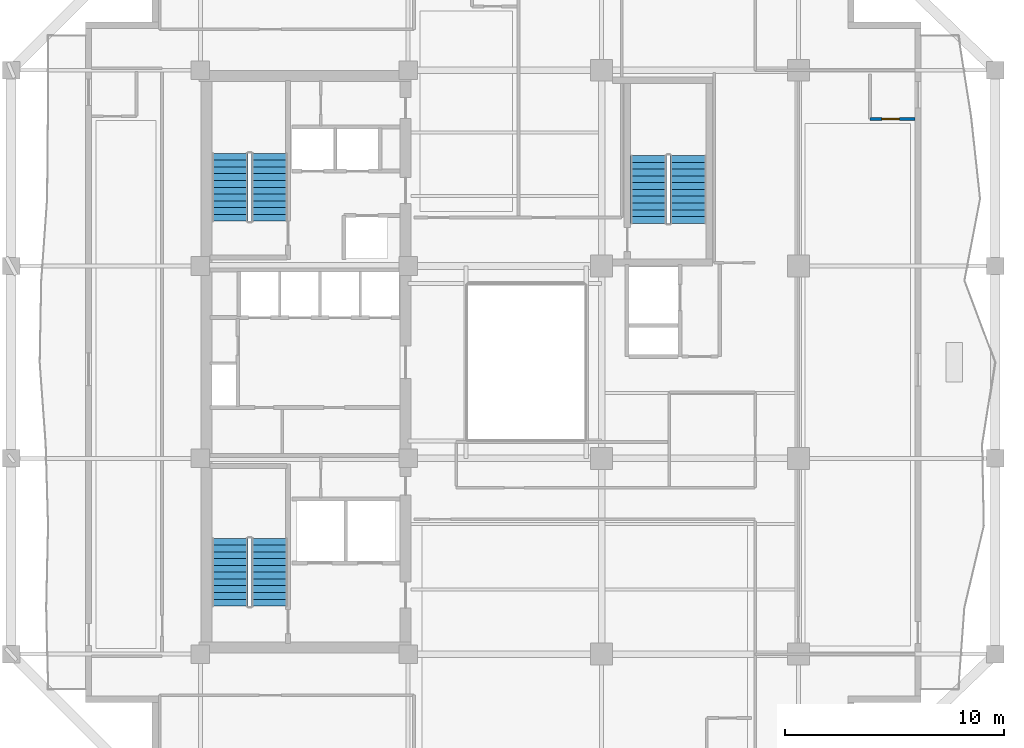
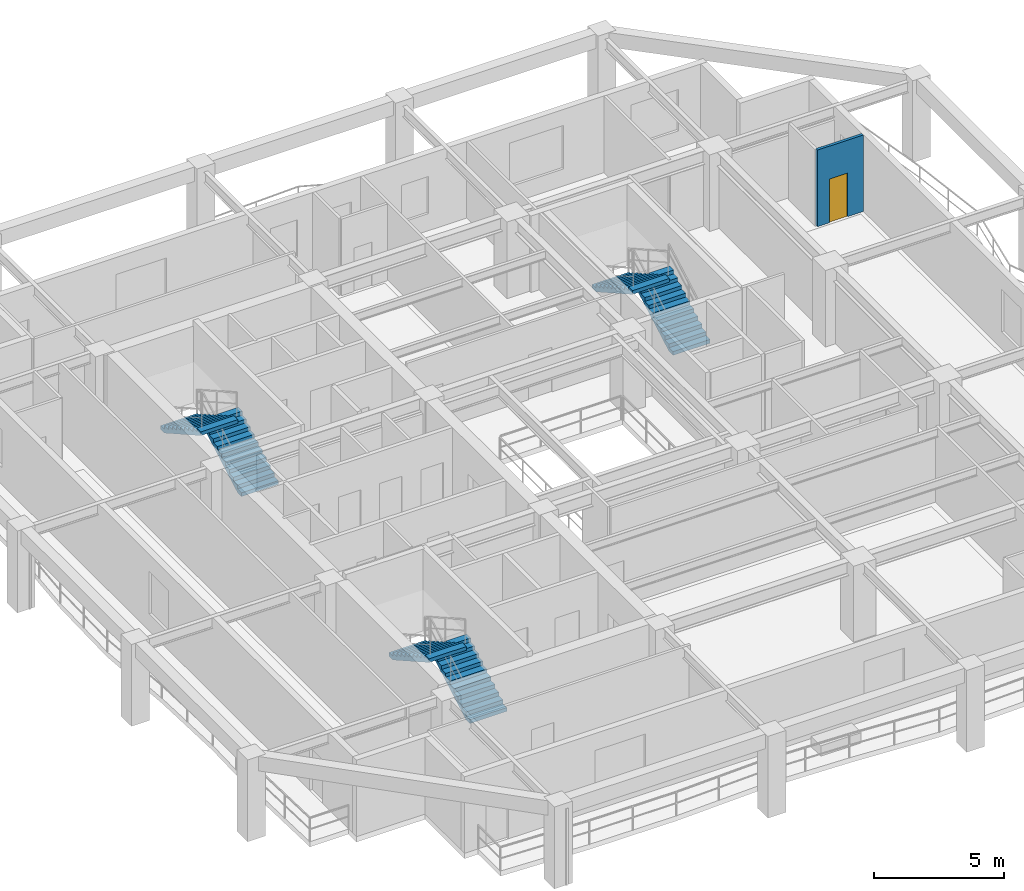
# One storey, part 6 of 10: 6 stair flights, 1 door, 1 wall, 1 opening, 3 elements without a shape of their own.
"""IFC4 building model written with IfcOpenShell, lengths in metres."""

from ifc_helpers import new_model, si_unit, direction, frame, frame_2d, origin, place, context, subcontext, project, spatial, polyline, rectangle, outline, extrude, material, layer, layer_set, type_object, element, fill, aggregate, save


model = new_model("IFC4")

# Units and contexts
model_context = context("Model", 3, precision=1e-05, world=origin(), true_north=direction((0.0, 1.0)))
body_context = subcontext(model_context, "Body", "Model", "MODEL_VIEW")
ifc_project = project(units=[si_unit("LENGTHUNIT", "METRE"), si_unit("AREAUNIT", "SQUARE_METRE"), si_unit("VOLUMEUNIT", "CUBIC_METRE"), si_unit("PLANEANGLEUNIT", "RADIAN"), si_unit("MASSUNIT", "GRAM", prefix="KILO")], contexts=[model_context])

# Site, building, storey
site_placement = place(None, origin())
site = spatial("IfcSite", under=ifc_project, at=site_placement, CompositionType="ELEMENT")
building_placement = place(site_placement, origin())
building = spatial("IfcBuilding", under=site, at=building_placement, Name="Kundavana Baori Tower", CompositionType="ELEMENT")
storey_placement = place(building_placement, frame((0.0, 0.0, 111.699951171875)))
storey = spatial("IfcBuildingStorey", under=building, at=storey_placement, Name="L26", CompositionType="ELEMENT", Elevation=111.699951171875)

# Wall, opening, door
ifc_material_1 = material(Name="Autoclaved Aerated Concrete Blockwork Masonry", Category="masonry")
ifc_layer = layer(ifc_material_1, 0.125, Name="WL-WET-120")
ifc_layer_set = layer_set([ifc_layer], Name="Autoclaved Aerated Concrete Blockwork Masonry")
wall_type = type_object("IfcWallType", Name="WL-WET-120", PredefinedType="PLUMBINGWALL", material=ifc_layer_set)
wall_placement = place(storey_placement, frame((46.070068359375, 39.719970703125, 0.0), z_axis=(0.0, 0.0, 1.0), x_axis=(1.0, 0.0, 0.0)))
wall = element("IfcWall", 1, at=wall_placement, inside=storey, type_object=wall_type, Name="WL-L26-HK-E1-BS", PredefinedType="PLUMBINGWALL", context=body_context, shape_type="SweptSolid", body=[
    extrude(rectangle(XDim=2.050048828125, YDim=0.125, at=frame_2d((1.02490234375, 0.0))), origin(), (0.0, 0.0, 1.0), 3.60009765625),
])
opening_placement = place(wall_placement, frame((0.550048828125, 0.0, 0.0)))
opening = element("IfcOpeningElement", 2, at=opening_placement, cuts=wall, Name="Opening WD-080", PredefinedType="OPENING", context=body_context, shape_type="SweptSolid", body=[
    extrude(rectangle(XDim=0.800048828125, YDim=2.050048828125, at=frame_2d((0.39990234375, 1.02490234375))), frame((0.0, 0.072509765625, 0.0), z_axis=(0.0, -1.0, 0.0), x_axis=(1.0, 0.0, 0.0)), (0.0, 0.0, 1.0), 0.14501953125),
])
ifc_material_2 = material(Name="Engineered Teak Solid-Core Timber Veneer", Category="wood")
door_type = type_object("IfcDoorType", Name="DR-WET-800", OperationType="NOTDEFINED", PredefinedType="DOOR", material=ifc_material_2)
door_placement = place(opening_placement, frame((0.800048828125, 0.0, 0.0), z_axis=(0.0, 0.0, 1.0), x_axis=(-1.0, 0.0, 0.0)))
door = element("IfcDoor", 3, at=door_placement, inside=storey, type_object=door_type, Name="DR-L26-HK-E1-ENS", OperationType="SINGLE_SWING_LEFT", OverallHeight=2.050048828125, OverallWidth=0.800048828125, PredefinedType="DOOR", context=body_context, shape_type="SweptSolid", body=[
    extrude(rectangle(XDim=0.800048828125, YDim=2.050048828125, at=frame_2d((0.39990234375, 1.02490234375))), frame((0.0, 0.02490234375, 0.0), z_axis=(0.0, -1.0, 0.0), x_axis=(1.0, 0.0, 0.0)), (0.0, 0.0, 1.0), 0.050048828125),
])
fill(opening, door)

# Stair, stair flights
ifc_material_3 = material(Name="Concrete C40/50", Category="concrete")
stair_type = type_object("IfcStairType", Name="STR-DOG-1650", PredefinedType="HALF_TURN_STAIR", material=ifc_material_3)
stair_1_placement = place(storey_placement, origin())
stair_1 = element("IfcStair", 4, at=stair_1_placement, inside=storey, type_object=stair_type, Name="L26 Protected Exit Stair ST1", PredefinedType="HALF_TURN_STAIR")
ifc_material_4 = material(Name="Concrete C40/50", Category="concrete")
stair_flight_type = type_object("IfcStairFlightType", Name="SFL-RC-1650", PredefinedType="STRAIGHT", material=ifc_material_4)
stair_flight_1_placement = place(storey_placement, frame((18.614990234375, 17.449951171875, 0.0), z_axis=(0.0, 0.0, 1.0), x_axis=(0.0, 1.0, 0.0)))
stair_flight_1 = element("IfcStairFlight", 5, at=stair_flight_1_placement, type_object=stair_flight_type, Name="ST1 flight 1", NumberOfRisers=11, NumberOfTreads=10, PredefinedType="STRAIGHT", RiserHeight=0.175, TreadLength=0.31, context=body_context, shape_type="SweptSolid", body=[
    extrude(outline(polyline([(0.0, 0.0), (0.0, 0.175048828125), (0.31005859375, 0.175048828125), (0.31005859375, 0.35009765625), (0.6201171875, 0.35009765625), (0.6201171875, 0.52490234375), (0.929931640625, 0.52490234375), (0.929931640625, 0.699951171875), (1.239990234375, 0.699951171875), (1.239990234375, 0.875), (1.550048828125, 0.875), (1.550048828125, 1.050048828125), (1.860107421875, 1.050048828125), (1.860107421875, 1.22509765625), (2.169921875, 1.22509765625), (2.169921875, 1.39990234375), (2.47998046875, 1.39990234375), (2.47998046875, 1.574951171875), (2.7900390625, 1.574951171875), (2.7900390625, 1.75), (3.10009765625, 1.75), (3.10009765625, 1.925048828125), (3.10009765625, 1.577880859375), (0.304931640625, 0.0), (0.0, 0.0)])), frame((0.0, 0.824951171875, 0.0), z_axis=(0.0, -1.0, 0.0), x_axis=(1.0, 0.0, 0.0)), (0.0, 0.0, 1.0), 1.64990234375),
])
stair_flight_2_placement = place(storey_placement, frame((16.804931640625, 20.550048828125, 1.925048828125), z_axis=(0.0, 0.0, 1.0), x_axis=(0.0, -1.0, 0.0)))
stair_flight_2 = element("IfcStairFlight", 6, at=stair_flight_2_placement, type_object=stair_flight_type, Name="ST1 flight 2", NumberOfRisers=11, NumberOfTreads=10, PredefinedType="STRAIGHT", RiserHeight=0.175, TreadLength=0.31, context=body_context, shape_type="SweptSolid", body=[
    extrude(outline(polyline([(0.0, 0.0), (0.0, 0.175048828125), (0.31005859375, 0.175048828125), (0.31005859375, 0.35009765625), (0.6201171875, 0.35009765625), (0.6201171875, 0.52490234375), (0.929931640625, 0.52490234375), (0.929931640625, 0.699951171875), (1.239990234375, 0.699951171875), (1.239990234375, 0.875), (1.550048828125, 0.875), (1.550048828125, 1.050048828125), (1.860107421875, 1.050048828125), (1.860107421875, 1.22509765625), (2.169921875, 1.22509765625), (2.169921875, 1.39990234375), (2.47998046875, 1.39990234375), (2.47998046875, 1.574951171875), (2.7900390625, 1.574951171875), (2.7900390625, 1.75), (3.10009765625, 1.75), (3.10009765625, 1.925048828125), (3.10009765625, 1.577880859375), (0.304931640625, 0.0), (0.0, 0.0)])), frame((0.0, 0.824951171875, 0.0), z_axis=(0.0, -1.0, 0.0), x_axis=(1.0, 0.0, 0.0)), (0.0, 0.0, 1.0), 1.64990234375),
])
aggregate(stair_1, [stair_flight_1, stair_flight_2])

stair_2_placement = place(storey_placement, origin())
stair_2 = element("IfcStair", 7, at=stair_2_placement, inside=storey, type_object=stair_type, Name="L26 Protected Exit Stair ST2", PredefinedType="HALF_TURN_STAIR")
stair_flight_3_placement = place(storey_placement, frame((18.614990234375, 35.050048828125, 0.0), z_axis=(0.0, 0.0, 1.0), x_axis=(0.0, 1.0, 0.0)))
stair_flight_3 = element("IfcStairFlight", 8, at=stair_flight_3_placement, type_object=stair_flight_type, Name="ST2 flight 1", NumberOfRisers=11, NumberOfTreads=10, PredefinedType="STRAIGHT", RiserHeight=0.175, TreadLength=0.31, context=body_context, shape_type="SweptSolid", body=[
    extrude(outline(polyline([(0.0, 0.0), (0.0, 0.175048828125), (0.31005859375, 0.175048828125), (0.31005859375, 0.35009765625), (0.6201171875, 0.35009765625), (0.6201171875, 0.52490234375), (0.929931640625, 0.52490234375), (0.929931640625, 0.699951171875), (1.239990234375, 0.699951171875), (1.239990234375, 0.875), (1.550048828125, 0.875), (1.550048828125, 1.050048828125), (1.860107421875, 1.050048828125), (1.860107421875, 1.22509765625), (2.169921875, 1.22509765625), (2.169921875, 1.39990234375), (2.47998046875, 1.39990234375), (2.47998046875, 1.574951171875), (2.7900390625, 1.574951171875), (2.7900390625, 1.75), (3.10009765625, 1.75), (3.10009765625, 1.925048828125), (3.10009765625, 1.577880859375), (0.304931640625, 0.0), (0.0, 0.0)])), frame((0.0, 0.824951171875, 0.0), z_axis=(0.0, -1.0, 0.0), x_axis=(1.0, 0.0, 0.0)), (0.0, 0.0, 1.0), 1.64990234375),
])
stair_flight_4_placement = place(storey_placement, frame((16.804931640625, 38.14990234375, 1.925048828125), z_axis=(0.0, 0.0, 1.0), x_axis=(0.0, -1.0, 0.0)))
stair_flight_4 = element("IfcStairFlight", 9, at=stair_flight_4_placement, type_object=stair_flight_type, Name="ST2 flight 2", NumberOfRisers=11, NumberOfTreads=10, PredefinedType="STRAIGHT", RiserHeight=0.175, TreadLength=0.31, context=body_context, shape_type="SweptSolid", body=[
    extrude(outline(polyline([(0.0, 0.0), (0.0, 0.175048828125), (0.31005859375, 0.175048828125), (0.31005859375, 0.35009765625), (0.6201171875, 0.35009765625), (0.6201171875, 0.52490234375), (0.929931640625, 0.52490234375), (0.929931640625, 0.699951171875), (1.239990234375, 0.699951171875), (1.239990234375, 0.875), (1.550048828125, 0.875), (1.550048828125, 1.050048828125), (1.860107421875, 1.050048828125), (1.860107421875, 1.22509765625), (2.169921875, 1.22509765625), (2.169921875, 1.39990234375), (2.47998046875, 1.39990234375), (2.47998046875, 1.574951171875), (2.7900390625, 1.574951171875), (2.7900390625, 1.75), (3.10009765625, 1.75), (3.10009765625, 1.925048828125), (3.10009765625, 1.577880859375), (0.304931640625, 0.0), (0.0, 0.0)])), frame((0.0, 0.824951171875, 0.0), z_axis=(0.0, -1.0, 0.0), x_axis=(1.0, 0.0, 0.0)), (0.0, 0.0, 1.0), 1.64990234375),
])
aggregate(stair_2, [stair_flight_3, stair_flight_4])

stair_3_placement = place(storey_placement, origin())
stair_3 = element("IfcStair", 10, at=stair_3_placement, inside=storey, type_object=stair_type, Name="L26 Protected Exit Stair ST3", PredefinedType="HALF_TURN_STAIR")
stair_flight_5_placement = place(storey_placement, frame((37.7548828125, 34.949951171875, 0.0), z_axis=(0.0, 0.0, 1.0), x_axis=(0.0, 1.0, 0.0)))
stair_flight_5 = element("IfcStairFlight", 11, at=stair_flight_5_placement, type_object=stair_flight_type, Name="ST3 flight 1", NumberOfRisers=11, NumberOfTreads=10, PredefinedType="STRAIGHT", RiserHeight=0.175, TreadLength=0.31, context=body_context, shape_type="SweptSolid", body=[
    extrude(outline(polyline([(0.0, 0.0), (0.0, 0.175048828125), (0.31005859375, 0.175048828125), (0.31005859375, 0.35009765625), (0.6201171875, 0.35009765625), (0.6201171875, 0.52490234375), (0.929931640625, 0.52490234375), (0.929931640625, 0.699951171875), (1.239990234375, 0.699951171875), (1.239990234375, 0.875), (1.550048828125, 0.875), (1.550048828125, 1.050048828125), (1.860107421875, 1.050048828125), (1.860107421875, 1.22509765625), (2.169921875, 1.22509765625), (2.169921875, 1.39990234375), (2.47998046875, 1.39990234375), (2.47998046875, 1.574951171875), (2.7900390625, 1.574951171875), (2.7900390625, 1.75), (3.10009765625, 1.75), (3.10009765625, 1.925048828125), (3.10009765625, 1.577880859375), (0.304931640625, 0.0), (0.0, 0.0)])), frame((0.0, 0.824951171875, 0.0), z_axis=(0.0, -1.0, 0.0), x_axis=(1.0, 0.0, 0.0)), (0.0, 0.0, 1.0), 1.64990234375),
])
stair_flight_6_placement = place(storey_placement, frame((35.945068359375, 38.050048828125, 1.925048828125), z_axis=(0.0, 0.0, 1.0), x_axis=(0.0, -1.0, 0.0)))
stair_flight_6 = element("IfcStairFlight", 12, at=stair_flight_6_placement, type_object=stair_flight_type, Name="ST3 flight 2", NumberOfRisers=11, NumberOfTreads=10, PredefinedType="STRAIGHT", RiserHeight=0.175, TreadLength=0.31, context=body_context, shape_type="SweptSolid", body=[
    extrude(outline(polyline([(0.0, 0.0), (0.0, 0.175048828125), (0.31005859375, 0.175048828125), (0.31005859375, 0.35009765625), (0.6201171875, 0.35009765625), (0.6201171875, 0.52490234375), (0.929931640625, 0.52490234375), (0.929931640625, 0.699951171875), (1.239990234375, 0.699951171875), (1.239990234375, 0.875), (1.550048828125, 0.875), (1.550048828125, 1.050048828125), (1.860107421875, 1.050048828125), (1.860107421875, 1.22509765625), (2.169921875, 1.22509765625), (2.169921875, 1.39990234375), (2.47998046875, 1.39990234375), (2.47998046875, 1.574951171875), (2.7900390625, 1.574951171875), (2.7900390625, 1.75), (3.10009765625, 1.75), (3.10009765625, 1.925048828125), (3.10009765625, 1.577880859375), (0.304931640625, 0.0), (0.0, 0.0)])), frame((0.0, 0.824951171875, 0.0), z_axis=(0.0, -1.0, 0.0), x_axis=(1.0, 0.0, 0.0)), (0.0, 0.0, 1.0), 1.64990234375),
])
aggregate(stair_3, [stair_flight_5, stair_flight_6])

save(model, "model.ifc")
